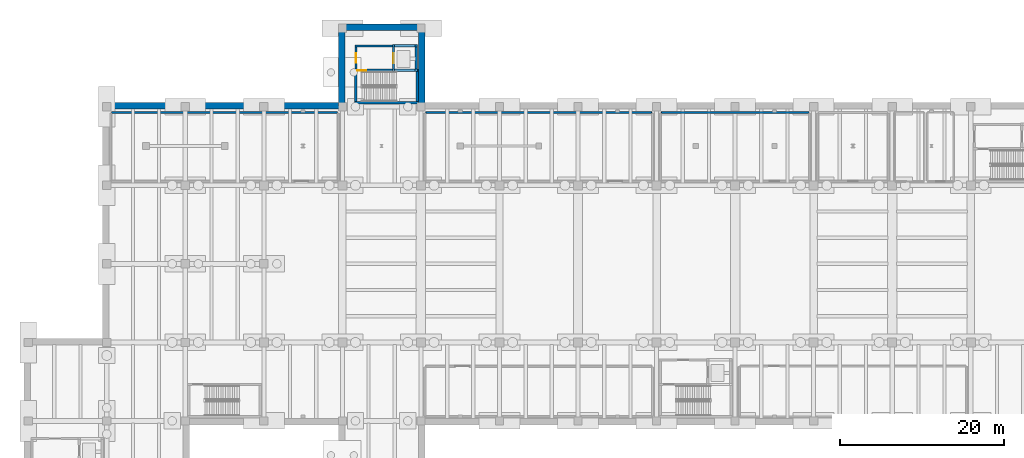
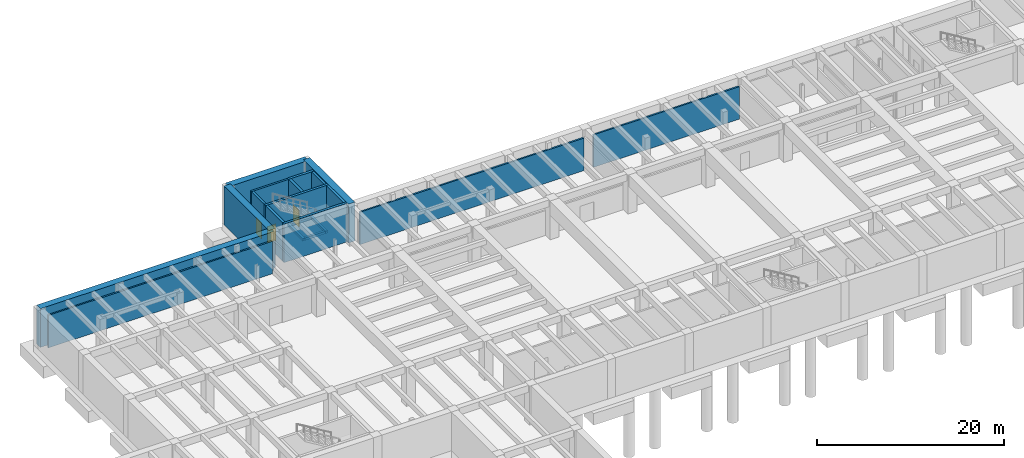
# One storey, part 12 of 24: 20 walls, 3 doors, 3 openings.
"""IFC4 building model written with IfcOpenShell, lengths in metres."""

from ifc_helpers import new_model, si_unit, direction, frame, frame_2d, origin, place, context, subcontext, project, spatial, rectangle, extrude, material, layer, layer_set, type_object, element, fill, save


model = new_model("IFC4")

# Units and contexts
model_context = context("Model", 3, precision=1e-05, world=origin(), true_north=direction((0.0, 1.0)))
body_context = subcontext(model_context, "Body", "Model", "MODEL_VIEW")
ifc_project = project(units=[si_unit("LENGTHUNIT", "METRE"), si_unit("AREAUNIT", "SQUARE_METRE"), si_unit("VOLUMEUNIT", "CUBIC_METRE"), si_unit("PLANEANGLEUNIT", "RADIAN"), si_unit("MASSUNIT", "GRAM", prefix="KILO")], contexts=[model_context])

# Site, building, storey
site_placement = place(None, origin())
site = spatial("IfcSite", under=ifc_project, at=site_placement, CompositionType="ELEMENT")
building_placement = place(site_placement, origin())
building = spatial("IfcBuilding", under=site, at=building_placement, Name="Coralgate Yard Interchange", CompositionType="ELEMENT")
storey_placement = place(building_placement, frame((0.0, 0.0, -10.800048828125)))
storey = spatial("IfcBuildingStorey", under=building, at=storey_placement, Name="B2", CompositionType="ELEMENT", Elevation=-10.800048828125)

# Wall
ifc_material_1 = material(Name="Concrete C40/50", Category="concrete")
ifc_layer_1 = layer(ifc_material_1, 0.300048828125)
ifc_layer_set_1 = layer_set([ifc_layer_1], Name="Concrete C40/50")
wall_type_1 = type_object("IfcWallType", Name="WAL-CW300", PredefinedType="SHEAR", material=ifc_layer_set_1)
wall_1_placement = place(storey_placement, frame((49.5, 77.300048828125, 0.0), z_axis=(0.0, 0.0, 1.0), x_axis=(1.0, 0.0, 0.0)))
element("IfcWall", 1, at=wall_1_placement, inside=storey, type_object=wall_type_1, Name="C5 B2 stair south shear wall", PredefinedType="SHEAR", context=body_context, shape_type="SweptSolid", body=[
    extrude(rectangle(XDim=7.800048828125, YDim=0.300048828125, at=frame_2d((3.89990234375, 0.0))), origin(), (0.0, 0.0, 1.0), 5.050048828125),
])

# Wall, opening, door
wall_2_placement = place(storey_placement, frame((57.300048828125, 81.25, 0.0), z_axis=(0.0, 0.0, 1.0), x_axis=(-1.0, 0.0, 0.0)))
wall_2 = element("IfcWall", 2, at=wall_2_placement, inside=storey, type_object=wall_type_1, Name="C5 B2 stair north shear wall", PredefinedType="SHEAR", context=body_context, shape_type="SweptSolid", body=[
    extrude(rectangle(XDim=7.800048828125, YDim=0.300048828125, at=frame_2d((3.89990234375, 0.0))), origin(), (0.0, 0.0, 1.0), 5.050048828125),
])
opening_1_placement = place(wall_2_placement, frame((6.39990234375, 0.0, 0.0)))
opening_1 = element("IfcOpeningElement", 3, at=opening_1_placement, cuts=wall_2, Name="Opening FD-1", PredefinedType="OPENING", context=body_context, shape_type="SweptSolid", body=[
    extrude(rectangle(XDim=1.10009765625, YDim=2.14990234375, at=frame_2d((0.550048828125, 1.074951171875))), frame((0.0, 0.159912109375, 0.0), z_axis=(0.0, -1.0, 0.0), x_axis=(1.0, 0.0, 0.0)), (0.0, 0.0, 1.0), 0.320068359375),
])
ifc_material_2 = material(Name="Powder-coated steel fire door assembly", Category="steel")
door_type_1 = type_object("IfcDoorType", Name="DOR-FD-1", OperationType="NOTDEFINED", PredefinedType="DOOR", material=ifc_material_2)
door_1_placement = place(opening_1_placement, origin())
door_1 = element("IfcDoor", 4, at=door_1_placement, inside=storey, type_object=door_type_1, Name="C5 B2 stair fire door", OperationType="SINGLE_SWING_LEFT", OverallHeight=2.14990234375, OverallWidth=1.10009765625, PredefinedType="DOOR", context=body_context, shape_type="SweptSolid", body=[
    extrude(rectangle(XDim=1.10009765625, YDim=2.14990234375, at=frame_2d((0.550048828125, 1.074951171875))), frame((0.0, 0.02490234375, 0.0), z_axis=(0.0, -1.0, 0.0), x_axis=(1.0, 0.0, 0.0)), (0.0, 0.0, 1.0), 0.050048828125),
])
fill(opening_1, door_1)

# Walls
for number, where, z_axis, x_axis, name in (
    (5, (49.64990234375, 77.449951171875, 0.0), (0.0, 0.0, 1.0), (0.0, 1.0, 0.0), "C5 B2 stair west shear wall"),
    (6, (57.14990234375, 81.10009765625, 0.0), (0.0, 0.0, 1.0), (0.0, -1.0, 0.0), "C5 B2 stair east shear wall"),
):
    element("IfcWall", number, at=place(storey_placement, frame(where, z_axis=z_axis, x_axis=x_axis)), inside=storey, type_object=wall_type_1, Name=name, PredefinedType="SHEAR", context=body_context, shape_type="SweptSolid", body=[
        extrude(rectangle(XDim=3.650146484375, YDim=0.300048828125, at=frame_2d((1.8251953125, 0.0))), origin(), (0.0, 0.0, 1.0), 5.050048828125),
    ])

# Wall, opening, door
wall_3_placement = place(storey_placement, frame((54.25, 84.10009765625, 0.0), z_axis=(0.0, 0.0, 1.0), x_axis=(0.0, -1.0, 0.0)))
wall_3 = element("IfcWall", 7, at=wall_3_placement, inside=storey, type_object=wall_type_1, Name="C5 B2 lift front shear wall", PredefinedType="SHEAR", context=body_context, shape_type="SweptSolid", body=[
    extrude(rectangle(XDim=2.7001953125, YDim=0.300048828125, at=frame_2d((1.35009765625, 0.0))), origin(), (0.0, 0.0, 1.0), 5.050048828125),
])
opening_2_placement = place(wall_3_placement, frame((0.739990234375, 0.0, 0.0)))
opening_2 = element("IfcOpeningElement", 8, at=opening_2_placement, cuts=wall_3, Name="Opening LD-3", PredefinedType="OPENING", context=body_context, shape_type="SweptSolid", body=[
    extrude(rectangle(XDim=1.219970703125, YDim=2.14990234375, at=frame_2d((0.60986328125, 1.074951171875))), frame((0.0, 0.159912109375, 0.0), z_axis=(0.0, -1.0, 0.0), x_axis=(1.0, 0.0, 0.0)), (0.0, 0.0, 1.0), 0.320068359375),
])
ifc_material_3 = material(Name="Brushed stainless steel concourse lift landing door", Category="steel")
door_type_2 = type_object("IfcDoorType", Name="DOR-LD-3", OperationType="DOUBLE_DOOR_SLIDING", PredefinedType="DOOR", material=ifc_material_3)
door_2_placement = place(opening_2_placement, frame((1.219970703125, 0.0, 0.0), z_axis=(0.0, 0.0, 1.0), x_axis=(-1.0, 0.0, 0.0)))
door_2 = element("IfcDoor", 9, at=door_2_placement, inside=storey, type_object=door_type_2, Name="LF-03 B2 sliding lift landing door", OperationType="DOUBLE_DOOR_SLIDING", OverallHeight=2.14990234375, OverallWidth=1.219970703125, PredefinedType="DOOR", context=body_context, shape_type="SweptSolid", body=[
    extrude(rectangle(XDim=1.219970703125, YDim=2.14990234375, at=frame_2d((0.60986328125, 1.074951171875))), frame((0.0, 0.02490234375, 0.0), z_axis=(0.0, -1.0, 0.0), x_axis=(1.0, 0.0, 0.0)), (0.0, 0.0, 1.0), 0.050048828125),
])
fill(opening_2, door_2)

# Walls
wall_4_placement = place(storey_placement, frame((57.050048828125, 81.39990234375, 0.0), z_axis=(0.0, 0.0, 1.0), x_axis=(0.0, 1.0, 0.0)))
element("IfcWall", 10, at=wall_4_placement, inside=storey, type_object=wall_type_1, Name="C5 B2 lift rear shear wall", PredefinedType="SHEAR", context=body_context, shape_type="SweptSolid", body=[
    extrude(rectangle(XDim=2.7001953125, YDim=0.300048828125, at=frame_2d((1.35009765625, 0.0))), origin(), (0.0, 0.0, 1.0), 5.050048828125),
])
wall_5_placement = place(storey_placement, frame((54.10009765625, 84.25, 0.0), z_axis=(0.0, 0.0, 1.0), x_axis=(1.0, 0.0, 0.0)))
element("IfcWall", 11, at=wall_5_placement, inside=storey, type_object=wall_type_1, Name="C5 B2 lift north shear wall", PredefinedType="SHEAR", context=body_context, shape_type="SweptSolid", body=[
    extrude(rectangle(XDim=3.099853515625, YDim=0.300048828125, at=frame_2d((1.5498046875, 0.0))), origin(), (0.0, 0.0, 1.0), 5.050048828125),
])
for number, where, z_axis, x_axis, name in (
    (12, (54.25, 81.10009765625, -1.199951171875), (0.0, 0.0, 1.0), (0.0, 1.0, 0.0), "LF-03 lift pit wall W"),
    (13, (57.050048828125, 81.10009765625, -1.199951171875), (0.0, 0.0, 1.0), (0.0, 1.0, 0.0), "LF-03 lift pit wall E"),
):
    element("IfcWall", number, at=place(storey_placement, frame(where, z_axis=z_axis, x_axis=x_axis)), inside=storey, type_object=wall_type_1, Name=name, PredefinedType="SHEAR", context=body_context, shape_type="SweptSolid", body=[
        extrude(rectangle(XDim=3.2998046875, YDim=0.300048828125, at=frame_2d((1.64990234375, 0.0))), origin(), (0.0, 0.0, 1.0), 0.320068359375),
    ])
for number, where, z_axis, x_axis, name in (
    (14, (54.39990234375, 81.25, -1.199951171875), (0.0, 0.0, 1.0), (1.0, 0.0, 0.0), "LF-03 lift pit wall S"),
    (15, (54.39990234375, 84.25, -1.199951171875), (0.0, 0.0, 1.0), (1.0, 0.0, 0.0), "LF-03 lift pit wall N"),
):
    element("IfcWall", number, at=place(storey_placement, frame(where, z_axis=z_axis, x_axis=x_axis)), inside=storey, type_object=wall_type_1, Name=name, PredefinedType="SHEAR", context=body_context, shape_type="SweptSolid", body=[
        extrude(rectangle(XDim=2.5, YDim=0.300048828125, at=frame_2d((1.25, 0.0))), origin(), (0.0, 0.0, 1.0), 0.320068359375),
    ])
ifc_layer_2 = layer(ifc_material_1, 0.800048828125)
ifc_layer_set_2 = layer_set([ifc_layer_2], Name="Concrete C40/50")
wall_type_2 = type_object("IfcWallType", Name="WAL-DW800", PredefinedType="SOLIDWALL", material=ifc_layer_set_2)
wall_6_placement = place(storey_placement, frame((19.10009765625, 76.89990234375, 0.0), z_axis=(0.0, 0.0, 1.0), x_axis=(1.0, 0.0, 0.0)))
element("IfcWall", 16, at=wall_6_placement, inside=storey, type_object=wall_type_2, Name="B2 diaphragm retaining wall 7", PredefinedType="SOLIDWALL", context=body_context, shape_type="SweptSolid", body=[
    extrude(rectangle(XDim=28.7998046875, YDim=0.800048828125, at=frame_2d((14.39990234375, 0.0))), origin(), (0.0, 0.0, 1.0), 5.050048828125),
])
wall_7_placement = place(storey_placement, frame((47.89990234375, 76.89990234375, 0.0), z_axis=(0.0, 0.0, 1.0), x_axis=(0.0, 1.0, 0.0)))
element("IfcWall", 17, at=wall_7_placement, inside=storey, type_object=wall_type_2, Name="B2 diaphragm retaining wall 8", PredefinedType="SOLIDWALL", context=body_context, shape_type="SweptSolid", body=[
    extrude(rectangle(XDim=9.60009765625, YDim=0.800048828125, at=frame_2d((4.800048828125, 0.0))), origin(), (0.0, 0.0, 1.0), 5.050048828125),
])
wall_8_placement = place(storey_placement, frame((47.89990234375, 86.5, 0.0), z_axis=(0.0, 0.0, 1.0), x_axis=(1.0, 0.0, 0.0)))
element("IfcWall", 18, at=wall_8_placement, inside=storey, type_object=wall_type_2, Name="B2 diaphragm retaining wall 9", PredefinedType="SOLIDWALL", context=body_context, shape_type="SweptSolid", body=[
    extrude(rectangle(XDim=9.800048828125, YDim=0.800048828125, at=frame_2d((4.89990234375, 0.0))), origin(), (0.0, 0.0, 1.0), 5.050048828125),
])
wall_9_placement = place(storey_placement, frame((57.699951171875, 86.5, 0.0), z_axis=(0.0, 0.0, 1.0), x_axis=(0.0, -1.0, 0.0)))
element("IfcWall", 19, at=wall_9_placement, inside=storey, type_object=wall_type_2, Name="B2 diaphragm retaining wall 10", PredefinedType="SOLIDWALL", context=body_context, shape_type="SweptSolid", body=[
    extrude(rectangle(XDim=9.60009765625, YDim=0.800048828125, at=frame_2d((4.800048828125, 0.0))), origin(), (0.0, 0.0, 1.0), 5.050048828125),
])
ifc_material_4 = material(Name="Concrete blockwork masonry", Category="masonry")
ifc_layer_3 = layer(ifc_material_4, 0.199951171875)
ifc_layer_set_3 = layer_set([ifc_layer_3], Name="Concrete blockwork masonry")
wall_type_3 = type_object("IfcWallType", Name="WAL-PW-200", PredefinedType="PARTITIONING", material=ifc_layer_set_3)
wall_10_placement = place(storey_placement, frame((19.800048828125, 76.10009765625, 0.0), z_axis=(0.0, 0.0, 1.0), x_axis=(1.0, 0.0, 0.0)))
element("IfcWall", 20, at=wall_10_placement, inside=storey, type_object=wall_type_3, Name="West Under-Platform Exhaust Plant partition N", PredefinedType="PARTITIONING", context=body_context, shape_type="SweptSolid", body=[
    extrude(rectangle(XDim=27.599853515625, YDim=0.199951171875, at=frame_2d((13.7998046875, 0.0))), origin(), (0.0, 0.0, 1.0), 4.239990234375),
])
wall_11_placement = place(storey_placement, frame((58.199951171875, 76.10009765625, 0.0), z_axis=(0.0, 0.0, 1.0), x_axis=(1.0, 0.0, 0.0)))
element("IfcWall", 21, at=wall_11_placement, inside=storey, type_object=wall_type_3, Name="Seepage and Fire Pump Room partition N", PredefinedType="PARTITIONING", context=body_context, shape_type="SweptSolid", body=[
    extrude(rectangle(XDim=27.60009765625, YDim=0.199951171875, at=frame_2d((13.800048828125, 0.0))), origin(), (0.0, 0.0, 1.0), 4.239990234375),
])
wall_12_placement = place(storey_placement, frame((87.0, 76.10009765625, 0.0), z_axis=(0.0, 0.0, 1.0), x_axis=(1.0, 0.0, 0.0)))
element("IfcWall", 22, at=wall_12_placement, inside=storey, type_object=wall_type_3, Name="Trackside Signal Relay Room partition N", PredefinedType="PARTITIONING", context=body_context, shape_type="SweptSolid", body=[
    extrude(rectangle(XDim=18.0, YDim=0.199951171875, at=frame_2d((9.0, 0.0))), origin(), (0.0, 0.0, 1.0), 4.239990234375),
])
ifc_layer_4 = layer(ifc_material_1, 0.25)
ifc_layer_set_4 = layer_set([ifc_layer_4], Name="Concrete C40/50")
wall_type_4 = type_object("IfcWallType", Name="WAL-SW250", PredefinedType="SHEAR", material=ifc_layer_set_4)
wall_13_placement = place(storey_placement, frame((54.10009765625, 84.22509765625, 0.0), z_axis=(0.0, 0.0, 1.0), x_axis=(-1.0, 0.0, 0.0)))
element("IfcWall", 23, at=wall_13_placement, inside=storey, type_object=wall_type_4, Name="C5 B2 lobby north fire wall", PredefinedType="SHEAR", context=body_context, shape_type="SweptSolid", body=[
    extrude(rectangle(XDim=4.5751953125, YDim=0.25, at=frame_2d((2.28759765625, 0.0))), origin(), (0.0, 0.0, 1.0), 5.050048828125),
])

# Wall, opening, door
wall_14_placement = place(storey_placement, frame((49.64990234375, 81.39990234375, 0.0), z_axis=(0.0, 0.0, 1.0), x_axis=(0.0, 1.0, 0.0)))
wall_14 = element("IfcWall", 24, at=wall_14_placement, inside=storey, type_object=wall_type_4, Name="C5 B2 lobby west fire wall", PredefinedType="SHEAR", context=body_context, shape_type="SweptSolid", body=[
    extrude(rectangle(XDim=2.7001953125, YDim=0.25, at=frame_2d((1.35009765625, 0.0))), origin(), (0.0, 0.0, 1.0), 5.050048828125),
])
opening_3_placement = place(wall_14_placement, frame((0.75, 0.0, 0.0)))
opening_3 = element("IfcOpeningElement", 25, at=opening_3_placement, cuts=wall_14, Name="Opening FD-2", PredefinedType="OPENING", context=body_context, shape_type="SweptSolid", body=[
    extrude(rectangle(XDim=1.199951171875, YDim=2.14990234375, at=frame_2d((0.60009765625, 1.074951171875))), frame((0.0, 0.135009765625, 0.0), z_axis=(0.0, -1.0, 0.0), x_axis=(1.0, 0.0, 0.0)), (0.0, 0.0, 1.0), 0.27001953125),
])
door_type_3 = type_object("IfcDoorType", Name="DOR-FD-2", OperationType="NOTDEFINED", PredefinedType="DOOR", material=ifc_material_2)
door_3_placement = place(opening_3_placement, frame((1.199951171875, 0.0, 0.0), z_axis=(0.0, 0.0, 1.0), x_axis=(-1.0, 0.0, 0.0)))
door_3 = element("IfcDoor", 26, at=door_3_placement, inside=storey, type_object=door_type_3, Name="C5 B2 lobby fire door", OperationType="SINGLE_SWING_RIGHT", OverallHeight=2.14990234375, OverallWidth=1.199951171875, PredefinedType="DOOR", context=body_context, shape_type="SweptSolid", body=[
    extrude(rectangle(XDim=1.199951171875, YDim=2.14990234375, at=frame_2d((0.60009765625, 1.074951171875))), frame((0.0, 0.02490234375, 0.0), z_axis=(0.0, -1.0, 0.0), x_axis=(1.0, 0.0, 0.0)), (0.0, 0.0, 1.0), 0.050048828125),
])
fill(opening_3, door_3)

save(model, "model.ifc")
